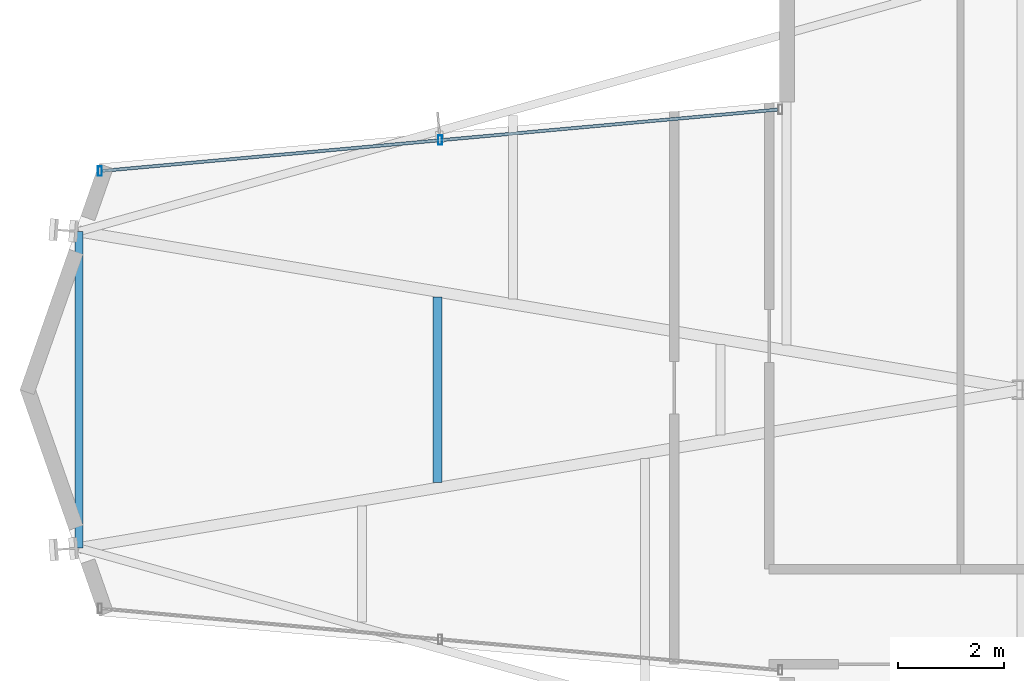
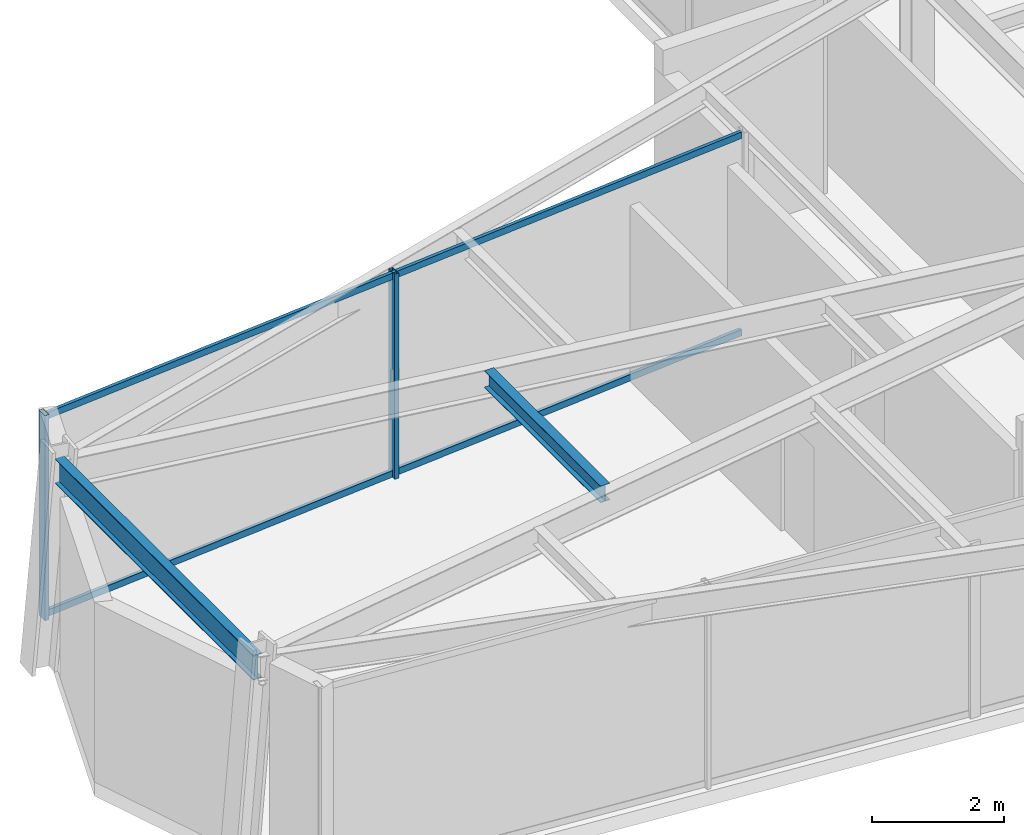
# One storey, part 9 of 23: 4 members, 2 beams, 1 element without a shape of its own.
"""IFC4 building model written with IfcOpenShell, lengths in metres."""

from ifc_helpers import new_model, si_unit, direction, frame, origin, origin_2d, place, context, subcontext, project, spatial, hollow_rectangle, i_section, extrude, material, layer, layer_set, material_profile, profile_set, type_object, element, aggregate, save


model = new_model("IFC4")

# Units and contexts
model_context = context("Model", 3, precision=1e-05, world=origin(), true_north=direction((0.0, 1.0)))
body_context = subcontext(model_context, "Body", "Model", "MODEL_VIEW")
ifc_project = project(units=[si_unit("LENGTHUNIT", "METRE"), si_unit("AREAUNIT", "SQUARE_METRE"), si_unit("VOLUMEUNIT", "CUBIC_METRE"), si_unit("PLANEANGLEUNIT", "RADIAN"), si_unit("MASSUNIT", "GRAM", prefix="KILO")], contexts=[model_context])

# Site, building, storey
site_placement = place(None, origin())
site = spatial("IfcSite", under=ifc_project, at=site_placement, CompositionType="ELEMENT")
building_placement = place(site_placement, origin())
building = spatial("IfcBuilding", under=site, at=building_placement, Name="Veymaron Broadcast Tower", CompositionType="ELEMENT")
storey_placement = place(building_placement, frame((0.0, 0.0, 199.949951171875)))
storey = spatial("IfcBuildingStorey", under=building, at=storey_placement, Name="L46", CompositionType="ELEMENT", Elevation=199.949951171875)

# Beams
ifc_material_1 = material(Name="Structural steel ASTM A992 Gr 50", Category="steel")
ifc_material_profile_1 = material_profile(ifc_material_1, i_section(OverallWidth=0.1650390625, OverallDepth=0.31005859375, WebThickness=0.005859375, FlangeThickness=0.009765625, at=origin_2d()), Name="W310X39")
ifc_profile_set_1 = profile_set([ifc_material_profile_1], Name="Structural steel ASTM A992 Gr 50")
beam_type_1 = type_object("IfcBeamType", Name="BM-JS3", PredefinedType="JOIST", material=ifc_profile_set_1)
beam_1_placement = place(storey_placement, frame((20.114501953125, 22.239990234375, 3.635009765625), z_axis=(0.0, 1.0, 0.0), x_axis=(-1.0, 0.0, 0.0)))
element("IfcBeam", 1, at=beam_1_placement, inside=storey, type_object=beam_type_1, Name="L46 Arm-A secondary joist 1M", PredefinedType="JOIST", context=body_context, shape_type="SweptSolid", body=[
    extrude(i_section(OverallWidth=0.1650390625, OverallDepth=0.31005859375, WebThickness=0.005859375, FlangeThickness=0.009765625, at=origin_2d()), origin(), (0.0, 0.0, 1.0), 3.52001953125),
])
ifc_material_profile_2 = material_profile(ifc_material_1, i_section(OverallWidth=0.154052734375, OverallDepth=0.458984375, WebThickness=0.009033203125, FlangeThickness=0.015380859375, at=origin_2d()), Name="W460X68")
ifc_profile_set_2 = profile_set([ifc_material_profile_2], Name="Structural steel ASTM A992 Gr 50")
beam_type_2 = type_object("IfcBeamType", Name="BM-SP2", PredefinedType="SPANDREL", material=ifc_profile_set_2)
beam_2_placement = place(storey_placement, frame((13.320068359375, 21.0, 3.560546875), z_axis=(0.0, 1.0, 0.0), x_axis=(-1.0, 0.0, 0.0)))
element("IfcBeam", 2, at=beam_2_placement, inside=storey, type_object=beam_type_2, Name="L46 primary structural floor girder", PredefinedType="SPANDREL", context=body_context, shape_type="SweptSolid", body=[
    extrude(i_section(OverallWidth=0.154052734375, OverallDepth=0.458984375, WebThickness=0.009033203125, FlangeThickness=0.015380859375, at=origin_2d()), origin(), (0.0, 0.0, 1.0), 6.0),
])

# Curtain wall, members
ifc_material_2 = material(Name="Anodised aluminium AA 6063-T6 and laminated low-E dark glass", Category="aluminium")
ifc_layer = layer(ifc_material_2, 0.179931640625)
ifc_layer_set = layer_set([ifc_layer], Name="Anodised aluminium AA 6063-T6 and laminated low-E dark glass")
curtain_wall_type = type_object("IfcCurtainWallType", Name="CW-SYS-05", PredefinedType="NOTDEFINED", material=ifc_layer_set)
curtain_wall_placement = place(storey_placement, origin())
curtain_wall = element("IfcCurtainWall", 3, at=curtain_wall_placement, inside=storey, type_object=curtain_wall_type, Name="L46 dark-glass curtain wall CW-L46-E11-1", PredefinedType="NOTDEFINED")
ifc_material_3 = material(Name="Anodised aluminium AA 6063-T6", Category="aluminium")
ifc_material_profile_3 = material_profile(ifc_material_3, hollow_rectangle(XDim=0.074951171875, YDim=0.179931640625, WallThickness=0.0048828125, at=origin_2d()), Name="AL180X75X5")
ifc_profile_set_3 = profile_set([ifc_material_profile_3], Name="Anodised aluminium AA 6063-T6")
member_type_1 = type_object("IfcMemberType", Name="CW-MUL-02", PredefinedType="MULLION", material=ifc_profile_set_3)
member_1_placement = place(storey_placement, frame((20.16259765625, 28.729736328125, 0.0), z_axis=(0.0, 0.0, 1.0), x_axis=(1.0, 0.0, 0.0)))
member_1 = element("IfcMember", 4, at=member_1_placement, type_object=member_type_1, Name="CW-L46-E11-1 mullion 1", PredefinedType="MULLION", context=body_context, shape_type="SweptSolid", body=[
    extrude(hollow_rectangle(XDim=0.074951171875, YDim=0.179931640625, WallThickness=0.0048828125, at=origin_2d()), origin(), (0.0, 0.0, 1.0), 3.7900390625),
])
member_2_placement = place(storey_placement, frame((13.712646484375, 28.14404296875, 0.0), z_axis=(0.0, 0.0, 1.0), x_axis=(1.0, 0.0, 0.0)))
member_2 = element("IfcMember", 5, at=member_2_placement, type_object=member_type_1, Name="CW-L46-E11-1 mullion 2", PredefinedType="MULLION", context=body_context, shape_type="SweptSolid", body=[
    extrude(hollow_rectangle(XDim=0.074951171875, YDim=0.179931640625, WallThickness=0.0048828125, at=origin_2d()), origin(), (0.0, 0.0, 1.0), 3.7900390625),
])
ifc_material_profile_4 = material_profile(ifc_material_3, hollow_rectangle(XDim=0.06005859375, YDim=0.1201171875, WallThickness=0.00390625, at=origin_2d()), Name="AL120X60X4")
ifc_profile_set_4 = profile_set([ifc_material_profile_4], Name="Anodised aluminium AA 6063-T6")
member_type_2 = type_object("IfcMemberType", Name="CW-TRN-02", PredefinedType="USERDEFINED", material=ifc_profile_set_4)
member_3_placement = place(storey_placement, frame((26.56298828125, 29.310791015625, 0.070068359375), z_axis=(-0.995904253261, -0.090414148987, 0.0), x_axis=(0.090414148987, -0.995904253261, 0.0)))
member_3 = element("IfcMember", 6, at=member_3_placement, type_object=member_type_2, Name="CW-L46-E11-1 transom B", ObjectType="TRANSOM", PredefinedType="USERDEFINED", context=body_context, shape_type="SweptSolid", body=[
    extrude(hollow_rectangle(XDim=0.06005859375, YDim=0.1201171875, WallThickness=0.00390625, at=origin_2d()), origin(), (0.0, 0.0, 1.0), 12.853271484375),
])
member_4_placement = place(storey_placement, frame((26.56298828125, 29.310791015625, 3.719970703125), z_axis=(-0.995904253261, -0.090414148987, 0.0), x_axis=(0.090414148987, -0.995904253261, 0.0)))
member_4 = element("IfcMember", 7, at=member_4_placement, type_object=member_type_2, Name="CW-L46-E11-1 transom T", ObjectType="TRANSOM", PredefinedType="USERDEFINED", context=body_context, shape_type="SweptSolid", body=[
    extrude(hollow_rectangle(XDim=0.06005859375, YDim=0.1201171875, WallThickness=0.00390625, at=origin_2d()), origin(), (0.0, 0.0, 1.0), 12.853271484375),
])
aggregate(curtain_wall, [member_1, member_2, member_3, member_4])

save(model, "model.ifc")
